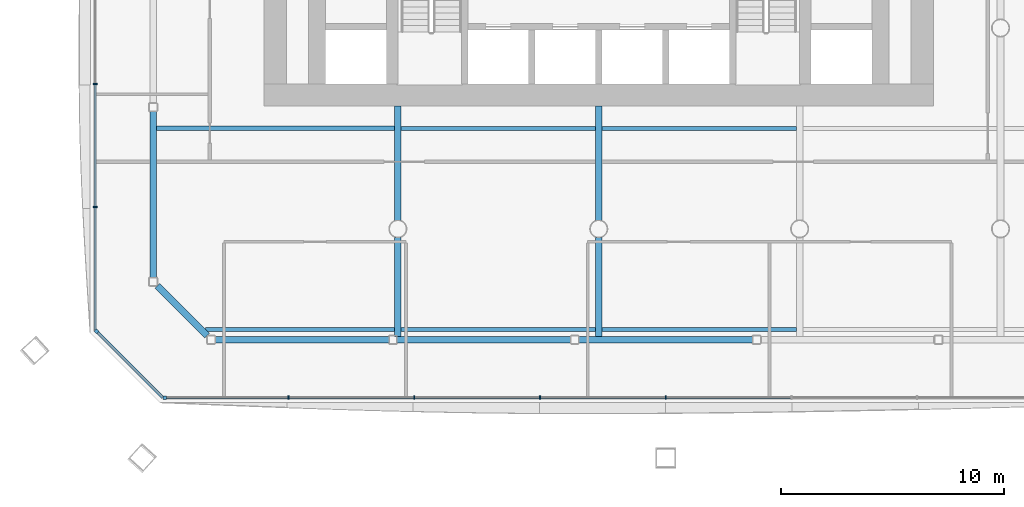
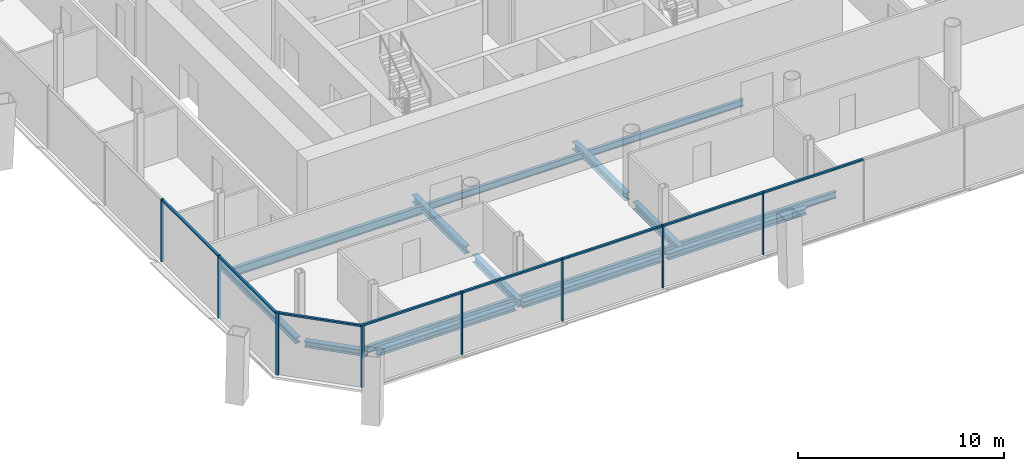
# One storey, part 4 of 20: 16 members, 15 beams, 3 elements without a shape of their own.
"""IFC4 building model written with IfcOpenShell, lengths in metres."""

from ifc_helpers import new_model, si_unit, direction, frame, origin, origin_2d, place, context, subcontext, project, spatial, rectangle, i_section, extrude, material, material_profile, profile_set, type_object, element, aggregate, save


model = new_model("IFC4")

# Units and contexts
model_context = context("Model", 3, precision=1e-05, world=origin(), true_north=direction((0.0, 1.0)))
body_context = subcontext(model_context, "Body", "Model", "MODEL_VIEW")
ifc_project = project(units=[si_unit("LENGTHUNIT", "METRE"), si_unit("AREAUNIT", "SQUARE_METRE"), si_unit("VOLUMEUNIT", "CUBIC_METRE"), si_unit("PLANEANGLEUNIT", "RADIAN"), si_unit("MASSUNIT", "GRAM", prefix="KILO")], contexts=[model_context])

# Site, building, storey
site_placement = place(None, origin())
site = spatial("IfcSite", under=ifc_project, at=site_placement, CompositionType="ELEMENT")
building_placement = place(site_placement, origin())
building = spatial("IfcBuilding", under=site, at=building_placement, Name="Tskaro Facet Tower", CompositionType="ELEMENT")
storey_placement = place(building_placement, frame((0.0, 0.0, 69.89990234375)))
storey = spatial("IfcBuildingStorey", under=building, at=storey_placement, Name="L16", CompositionType="ELEMENT", Elevation=69.89990234375)

# Curtain wall, member
ifc_material_1 = material(Name="Bronze anodised aluminium 6063-T6", Category="aluminium")
curtain_wall_type = type_object("IfcCurtainWallType", Name="Bronze office curtain wall (FW1)", PredefinedType="NOTDEFINED", material=ifc_material_1)
curtain_wall_1_placement = place(storey_placement, origin())
curtain_wall_1 = element("IfcCurtainWall", 1, at=curtain_wall_1_placement, inside=storey, type_object=curtain_wall_type, Name="FW1 south facet L16", PredefinedType="NOTDEFINED")
ifc_material_profile_1 = material_profile(ifc_material_1, rectangle(XDim=0.159912109375, YDim=0.159912109375, at=origin_2d()), Name="Corner post 160x160")
ifc_profile_set_1 = profile_set([ifc_material_profile_1], Name="Bronze anodised aluminium 6063-T6")
member_type_1 = type_object("IfcMemberType", Name="FW1 bronze corner post 160x160", PredefinedType="MULLION", material=ifc_profile_set_1)
member_1_placement = place(storey_placement, frame((-19.450927734375, -25.55908203125, 0.0), z_axis=(0.0, 0.0, 1.0), x_axis=(1.0, 0.0, 0.0)))
member_1 = element("IfcMember", 2, at=member_1_placement, type_object=member_type_1, Name="FW1 south corner post", PredefinedType="MULLION", context=body_context, shape_type="SweptSolid", body=[
    extrude(rectangle(XDim=0.159912109375, YDim=0.159912109375, at=origin_2d()), origin(), (0.0, 0.0, 1.0), 3.7001953125),
])

curtain_wall_2_placement = place(storey_placement, origin())
curtain_wall_2 = element("IfcCurtainWall", 3, at=curtain_wall_2_placement, inside=storey, type_object=curtain_wall_type, Name="FW1 south-west facet L16", PredefinedType="NOTDEFINED")
member_2_placement = place(storey_placement, frame((-22.50244140625, -22.587646484375, 0.0), z_axis=(0.0, 0.0, 1.0), x_axis=(0.707106781187, -0.707106781187, 0.0)))
member_2 = element("IfcMember", 4, at=member_2_placement, type_object=member_type_1, Name="FW1 south-west corner post", PredefinedType="MULLION", context=body_context, shape_type="SweptSolid", body=[
    extrude(rectangle(XDim=0.159912109375, YDim=0.159912109375, at=origin_2d()), origin(), (0.0, 0.0, 1.0), 3.7001953125),
])

# Member
ifc_material_profile_2 = material_profile(ifc_material_1, rectangle(XDim=0.06005859375, YDim=0.159912109375, at=origin_2d()), Name="Mullion 60x160")
ifc_profile_set_2 = profile_set([ifc_material_profile_2], Name="Bronze anodised aluminium 6063-T6")
member_type_2 = type_object("IfcMemberType", Name="FW1 bronze mullion 60x160", PredefinedType="MULLION", material=ifc_profile_set_2)
member_3_placement = place(storey_placement, frame((-13.898193359375, -25.55908203125, 0.0), z_axis=(0.0, 0.0, 1.0), x_axis=(1.0, 0.0, 0.0)))
member_3 = element("IfcMember", 5, at=member_3_placement, type_object=member_type_2, Name="FW1 south mullion 1", PredefinedType="MULLION", context=body_context, shape_type="SweptSolid", body=[
    extrude(rectangle(XDim=0.06005859375, YDim=0.159912109375, at=origin_2d()), origin(), (0.0, 0.0, 1.0), 3.7001953125),
])

member_4_placement = place(storey_placement, frame((-8.265380859375, -25.55908203125, 0.0), z_axis=(0.0, 0.0, 1.0), x_axis=(1.0, 0.0, 0.0)))
member_4 = element("IfcMember", 6, at=member_4_placement, type_object=member_type_2, Name="FW1 south mullion 2", PredefinedType="MULLION", context=body_context, shape_type="SweptSolid", body=[
    extrude(rectangle(XDim=0.06005859375, YDim=0.159912109375, at=origin_2d()), origin(), (0.0, 0.0, 1.0), 3.7001953125),
])

member_5_placement = place(storey_placement, frame((-2.6328125, -25.55908203125, 0.0), z_axis=(0.0, 0.0, 1.0), x_axis=(1.0, 0.0, 0.0)))
member_5 = element("IfcMember", 7, at=member_5_placement, type_object=member_type_2, Name="FW1 south mullion 3", PredefinedType="MULLION", context=body_context, shape_type="SweptSolid", body=[
    extrude(rectangle(XDim=0.06005859375, YDim=0.159912109375, at=origin_2d()), origin(), (0.0, 0.0, 1.0), 3.7001953125),
])

member_6_placement = place(storey_placement, frame((3.0, -25.55908203125, 0.0), z_axis=(0.0, 0.0, 1.0), x_axis=(1.0, 0.0, 0.0)))
member_6 = element("IfcMember", 8, at=member_6_placement, type_object=member_type_2, Name="FW1 south mullion 4", PredefinedType="MULLION", context=body_context, shape_type="SweptSolid", body=[
    extrude(rectangle(XDim=0.06005859375, YDim=0.159912109375, at=origin_2d()), origin(), (0.0, 0.0, 1.0), 3.7001953125),
])

# Curtain wall, members
curtain_wall_3_placement = place(storey_placement, origin())
curtain_wall_3 = element("IfcCurtainWall", 9, at=curtain_wall_3_placement, inside=storey, type_object=curtain_wall_type, Name="FW1 west facet L16", PredefinedType="NOTDEFINED")
member_7_placement = place(storey_placement, frame((-22.55908203125, -11.504638671875, 0.0), z_axis=(0.0, 0.0, 1.0), x_axis=(0.0, -1.0, 0.0)))
member_7 = element("IfcMember", 10, at=member_7_placement, type_object=member_type_2, Name="FW1 west mullion 6", PredefinedType="MULLION", context=body_context, shape_type="SweptSolid", body=[
    extrude(rectangle(XDim=0.06005859375, YDim=0.159912109375, at=origin_2d()), origin(), (0.0, 0.0, 1.0), 3.7001953125),
])
member_8_placement = place(storey_placement, frame((-22.55908203125, -17.017822265625, 0.0), z_axis=(0.0, 0.0, 1.0), x_axis=(0.0, -1.0, 0.0)))
member_8 = element("IfcMember", 11, at=member_8_placement, type_object=member_type_2, Name="FW1 west mullion 7", PredefinedType="MULLION", context=body_context, shape_type="SweptSolid", body=[
    extrude(rectangle(XDim=0.06005859375, YDim=0.159912109375, at=origin_2d()), origin(), (0.0, 0.0, 1.0), 3.7001953125),
])

# Member
ifc_material_profile_3 = material_profile(ifc_material_1, rectangle(XDim=0.1201171875, YDim=0.10009765625, at=origin_2d()), Name="Transom 120x100")
ifc_profile_set_3 = profile_set([ifc_material_profile_3], Name="Bronze anodised aluminium 6063-T6")
member_type_3 = type_object("IfcMemberType", Name="FW1 bronze transom 120x100", PredefinedType="USERDEFINED", material=ifc_profile_set_3)
member_9_placement = place(storey_placement, frame((-19.37109375, -25.55908203125, 3.650146484375), z_axis=(1.0, 0.0, 0.0), x_axis=(0.0, 1.0, 0.0)))
member_9 = element("IfcMember", 12, at=member_9_placement, type_object=member_type_3, Name="FW1 south transom 1.1", ObjectType="TRANSOM", PredefinedType="USERDEFINED", context=body_context, shape_type="SweptSolid", body=[
    extrude(rectangle(XDim=0.1201171875, YDim=0.10009765625, at=origin_2d()), origin(), (0.0, 0.0, 1.0), 5.44287109375),
])

member_10_placement = place(storey_placement, frame((-13.8681640625, -25.55908203125, 3.650146484375), z_axis=(1.0, 0.0, 0.0), x_axis=(0.0, 1.0, 0.0)))
member_10 = element("IfcMember", 13, at=member_10_placement, type_object=member_type_3, Name="FW1 south transom 2.1", ObjectType="TRANSOM", PredefinedType="USERDEFINED", context=body_context, shape_type="SweptSolid", body=[
    extrude(rectangle(XDim=0.1201171875, YDim=0.10009765625, at=origin_2d()), origin(), (0.0, 0.0, 1.0), 5.57275390625),
])

member_11_placement = place(storey_placement, frame((-8.235595703125, -25.55908203125, 3.650146484375), z_axis=(1.0, 0.0, 0.0), x_axis=(0.0, 1.0, 0.0)))
member_11 = element("IfcMember", 14, at=member_11_placement, type_object=member_type_3, Name="FW1 south transom 3.1", ObjectType="TRANSOM", PredefinedType="USERDEFINED", context=body_context, shape_type="SweptSolid", body=[
    extrude(rectangle(XDim=0.1201171875, YDim=0.10009765625, at=origin_2d()), origin(), (0.0, 0.0, 1.0), 5.57275390625),
])

member_12_placement = place(storey_placement, frame((-2.602783203125, -25.55908203125, 3.650146484375), z_axis=(1.0, 0.0, 0.0), x_axis=(0.0, 1.0, 0.0)))
member_12 = element("IfcMember", 15, at=member_12_placement, type_object=member_type_3, Name="FW1 south transom 4.1", ObjectType="TRANSOM", PredefinedType="USERDEFINED", context=body_context, shape_type="SweptSolid", body=[
    extrude(rectangle(XDim=0.1201171875, YDim=0.10009765625, at=origin_2d()), origin(), (0.0, 0.0, 1.0), 5.57275390625),
])

member_13_placement = place(storey_placement, frame((3.030029296875, -25.55908203125, 3.650146484375), z_axis=(1.0, 0.0, 0.0), x_axis=(0.0, 1.0, 0.0)))
member_13 = element("IfcMember", 16, at=member_13_placement, type_object=member_type_3, Name="FW1 south transom 5.1", ObjectType="TRANSOM", PredefinedType="USERDEFINED", context=body_context, shape_type="SweptSolid", body=[
    extrude(rectangle(XDim=0.1201171875, YDim=0.10009765625, at=origin_2d()), origin(), (0.0, 0.0, 1.0), 5.57275390625),
])

aggregate(curtain_wall_1, [member_1, member_3, member_4, member_5, member_6, member_9, member_10, member_11, member_12, member_13])

member_14_placement = place(storey_placement, frame((-22.55908203125, -11.53466796875, 3.650146484375), z_axis=(0.0, -1.0, 0.0), x_axis=(1.0, 0.0, 0.0)))
member_14 = element("IfcMember", 17, at=member_14_placement, type_object=member_type_3, Name="FW1 west transom 7.1", ObjectType="TRANSOM", PredefinedType="USERDEFINED", context=body_context, shape_type="SweptSolid", body=[
    extrude(rectangle(XDim=0.1201171875, YDim=0.10009765625, at=origin_2d()), origin(), (0.0, 0.0, 1.0), 5.453125),
])

member_15_placement = place(storey_placement, frame((-22.55908203125, -17.0478515625, 3.650146484375), z_axis=(0.0, -1.0, 0.0), x_axis=(1.0, 0.0, 0.0)))
member_15 = element("IfcMember", 18, at=member_15_placement, type_object=member_type_3, Name="FW1 west transom 8.1", ObjectType="TRANSOM", PredefinedType="USERDEFINED", context=body_context, shape_type="SweptSolid", body=[
    extrude(rectangle(XDim=0.1201171875, YDim=0.10009765625, at=origin_2d()), origin(), (0.0, 0.0, 1.0), 5.483154296875),
])

aggregate(curtain_wall_3, [member_7, member_8, member_14, member_15])

member_16_placement = place(storey_placement, frame((-22.44580078125, -22.64404296875, 3.650146484375), z_axis=(0.70707716849, -0.707136392643, 0.0), x_axis=(0.707136392643, 0.70707716849, 0.0)))
member_16 = element("IfcMember", 19, at=member_16_placement, type_object=member_type_3, Name="FW1 south-west transom 1.1", ObjectType="TRANSOM", PredefinedType="USERDEFINED", context=body_context, shape_type="SweptSolid", body=[
    extrude(rectangle(XDim=0.1201171875, YDim=0.10009765625, at=origin_2d()), origin(), (0.0, 0.0, 1.0), 4.122314453125),
])

aggregate(curtain_wall_2, [member_2, member_16])

# Beams
ifc_material_2 = material(Name="Steel S355J2", Category="steel")
ifc_material_profile_4 = material_profile(ifc_material_2, i_section(OverallWidth=0.300048828125, OverallDepth=0.360107421875, WebThickness=0.012451171875, FlangeThickness=0.0224609375, FilletRadius=0.027099609375, at=origin_2d()), Name="HE 360 B")
ifc_profile_set_4 = profile_set([ifc_material_profile_4], Name="Steel S355J2")
beam_type_1 = type_object("IfcBeamType", Name="HE 360 B ring beam", PredefinedType="BEAM", material=ifc_profile_set_4)
beam_1_placement = place(storey_placement, frame((-17.18408203125, -22.965087890625, -0.31982421875), z_axis=(1.0, 0.0, 0.0), x_axis=(0.0, 1.0, 0.0)))
element("IfcBeam", 20, at=beam_1_placement, inside=storey, type_object=beam_type_1, Name="HE 360 B EB1-2", PredefinedType="BEAM", context=body_context, shape_type="SweptSolid", body=[
    extrude(i_section(OverallWidth=0.300048828125, OverallDepth=0.360107421875, WebThickness=0.012451171875, FlangeThickness=0.0224609375, FilletRadius=0.027099609375, at=origin_2d()), origin(), (0.0, 0.0, 1.0), 7.7861328125),
])
beam_2_placement = place(storey_placement, frame((-9.0380859375, -22.965087890625, -0.31982421875), z_axis=(1.0, 0.0, 0.0), x_axis=(0.0, 1.0, 0.0)))
element("IfcBeam", 21, at=beam_2_placement, inside=storey, type_object=beam_type_1, Name="HE 360 B EB2-2", PredefinedType="BEAM", context=body_context, shape_type="SweptSolid", body=[
    extrude(i_section(OverallWidth=0.300048828125, OverallDepth=0.360107421875, WebThickness=0.012451171875, FlangeThickness=0.0224609375, FilletRadius=0.027099609375, at=origin_2d()), origin(), (0.0, 0.0, 1.0), 7.78515625),
])
beam_3_placement = place(storey_placement, frame((-0.89306640625, -22.965087890625, -0.31982421875), z_axis=(1.0, 0.0, 0.0), x_axis=(0.0, 1.0, 0.0)))
element("IfcBeam", 22, at=beam_3_placement, inside=storey, type_object=beam_type_1, Name="HE 360 B EB3-2", PredefinedType="BEAM", context=body_context, shape_type="SweptSolid", body=[
    extrude(i_section(OverallWidth=0.300048828125, OverallDepth=0.360107421875, WebThickness=0.012451171875, FlangeThickness=0.0224609375, FilletRadius=0.027099609375, at=origin_2d()), origin(), (0.0, 0.0, 1.0), 7.7861328125),
])
beam_4_placement = place(storey_placement, frame((-19.965087890625, -12.73291015625, -0.31982421875), z_axis=(0.0, -1.0, 0.0), x_axis=(1.0, 0.0, 0.0)))
element("IfcBeam", 23, at=beam_4_placement, inside=storey, type_object=beam_type_1, Name="HE 360 B EB23-2", PredefinedType="BEAM", context=body_context, shape_type="SweptSolid", body=[
    extrude(i_section(OverallWidth=0.300048828125, OverallDepth=0.360107421875, WebThickness=0.012451171875, FlangeThickness=0.0224609375, FilletRadius=0.027099609375, at=origin_2d()), origin(), (0.0, 0.0, 1.0), 7.451171875),
])
beam_5_placement = place(storey_placement, frame((-19.779052734375, -20.5498046875, -0.31982421875), z_axis=(0.707106781187, -0.707106781187, 0.0), x_axis=(0.707106781187, 0.707106781187, 0.0)))
element("IfcBeam", 24, at=beam_5_placement, inside=storey, type_object=beam_type_1, Name="HE 360 B EB24-2", PredefinedType="BEAM", context=body_context, shape_type="SweptSolid", body=[
    extrude(i_section(OverallWidth=0.300048828125, OverallDepth=0.360107421875, WebThickness=0.012451171875, FlangeThickness=0.0224609375, FilletRadius=0.027099609375, at=origin_2d()), origin(), (0.0, 0.0, 1.0), 3.152587890625),
])
ifc_material_profile_5 = material_profile(ifc_material_2, i_section(OverallWidth=0.300048828125, OverallDepth=0.43994140625, WebThickness=0.011474609375, FlangeThickness=0.02099609375, FilletRadius=0.027099609375, at=origin_2d()), Name="HE 450 A")
ifc_profile_set_5 = profile_set([ifc_material_profile_5], Name="Steel S355J2")
beam_type_2 = type_object("IfcBeamType", Name="HE 450 A girder", PredefinedType="BEAM", material=ifc_profile_set_5)
beam_6_placement = place(storey_placement, frame((-9.0, -22.81494140625, -0.35986328125), z_axis=(0.0, 1.0, 0.0), x_axis=(-1.0, 0.0, 0.0)))
element("IfcBeam", 25, at=beam_6_placement, inside=storey, type_object=beam_type_2, Name="HE 450 A GB3-1-2", PredefinedType="BEAM", context=body_context, shape_type="SweptSolid", body=[
    extrude(i_section(OverallWidth=0.300048828125, OverallDepth=0.43994140625, WebThickness=0.011474609375, FlangeThickness=0.02099609375, FilletRadius=0.027099609375, at=origin_2d()), origin(), (0.0, 0.0, 1.0), 4.4384765625),
])
beam_7_placement = place(storey_placement, frame((-9.0, -17.62353515625, -0.35986328125), z_axis=(0.0, 1.0, 0.0), x_axis=(-1.0, 0.0, 0.0)))
element("IfcBeam", 26, at=beam_7_placement, inside=storey, type_object=beam_type_2, Name="HE 450 A GB3-2-2", PredefinedType="BEAM", context=body_context, shape_type="SweptSolid", body=[
    extrude(i_section(OverallWidth=0.300048828125, OverallDepth=0.43994140625, WebThickness=0.011474609375, FlangeThickness=0.02099609375, FilletRadius=0.027099609375, at=origin_2d()), origin(), (0.0, 0.0, 1.0), 5.12353515625),
])
beam_8_placement = place(storey_placement, frame((0.0, -22.81494140625, -0.35986328125), z_axis=(0.0, 1.0, 0.0), x_axis=(-1.0, 0.0, 0.0)))
element("IfcBeam", 27, at=beam_8_placement, inside=storey, type_object=beam_type_2, Name="HE 450 A GB4-1-2", PredefinedType="BEAM", context=body_context, shape_type="SweptSolid", body=[
    extrude(i_section(OverallWidth=0.300048828125, OverallDepth=0.43994140625, WebThickness=0.011474609375, FlangeThickness=0.02099609375, FilletRadius=0.027099609375, at=origin_2d()), origin(), (0.0, 0.0, 1.0), 4.4384765625),
])
beam_9_placement = place(storey_placement, frame((0.0, -17.62353515625, -0.35986328125), z_axis=(0.0, 1.0, 0.0), x_axis=(-1.0, 0.0, 0.0)))
element("IfcBeam", 28, at=beam_9_placement, inside=storey, type_object=beam_type_2, Name="HE 450 A GB4-2-2", PredefinedType="BEAM", context=body_context, shape_type="SweptSolid", body=[
    extrude(i_section(OverallWidth=0.300048828125, OverallDepth=0.43994140625, WebThickness=0.011474609375, FlangeThickness=0.02099609375, FilletRadius=0.027099609375, at=origin_2d()), origin(), (0.0, 0.0, 1.0), 5.12353515625),
])
ifc_material_profile_6 = material_profile(ifc_material_2, i_section(OverallWidth=0.179931640625, OverallDepth=0.39990234375, WebThickness=0.008544921875, FlangeThickness=0.013427734375, FilletRadius=0.02099609375, at=origin_2d()), Name="IPE 400")
ifc_profile_set_6 = profile_set([ifc_material_profile_6], Name="Steel S355J2")
beam_type_3 = type_object("IfcBeamType", Name="IPE 400 secondary beam", PredefinedType="BEAM", material=ifc_profile_set_6)
beam_10_placement = place(storey_placement, frame((-17.616943359375, -22.5, -0.33984375), z_axis=(1.0, 0.0, 0.0), x_axis=(0.0, 1.0, 0.0)))
element("IfcBeam", 29, at=beam_10_placement, inside=storey, type_object=beam_type_3, Name="IPE 400 SB1a-1-2", PredefinedType="BEAM", context=body_context, shape_type="SweptSolid", body=[
    extrude(i_section(OverallWidth=0.179931640625, OverallDepth=0.39990234375, WebThickness=0.008544921875, FlangeThickness=0.013427734375, FilletRadius=0.02099609375, at=origin_2d()), origin(), (0.0, 0.0, 1.0), 8.467041015625),
])
for number, where, z_axis, x_axis, name in (
    (30, (-8.85009765625, -22.5, -0.33984375), (1.0, 0.0, 0.0), (0.0, 1.0, 0.0), "IPE 400 SB1a-2-2"),
    (31, (0.14990234375, -22.5, -0.33984375), (1.0, 0.0, 0.0), (0.0, 1.0, 0.0), "IPE 400 SB1a-3-2"),
    (32, (-8.85009765625, -13.5, -0.33984375), (1.0, 0.0, 0.0), (0.0, 1.0, 0.0), "IPE 400 SB2a-2-2"),
    (33, (0.14990234375, -13.5, -0.33984375), (1.0, 0.0, 0.0), (0.0, 1.0, 0.0), "IPE 400 SB2a-3-2"),
):
    element("IfcBeam", number, at=place(storey_placement, frame(where, z_axis=z_axis, x_axis=x_axis)), inside=storey, type_object=beam_type_3, Name=name, PredefinedType="BEAM", context=body_context, shape_type="SweptSolid", body=[
        extrude(i_section(OverallWidth=0.179931640625, OverallDepth=0.39990234375, WebThickness=0.008544921875, FlangeThickness=0.013427734375, FilletRadius=0.02099609375, at=origin_2d()), origin(), (0.0, 0.0, 1.0), 8.7001953125),
    ])
ifc_material_profile_7 = material_profile(ifc_material_2, i_section(OverallWidth=0.199951171875, OverallDepth=0.5, WebThickness=0.01025390625, FlangeThickness=0.01611328125, FilletRadius=0.02099609375, at=origin_2d()), Name="IPE 500")
ifc_profile_set_7 = profile_set([ifc_material_profile_7], Name="Steel S355J2")
beam_type_4 = type_object("IfcBeamType", Name="IPE 500 long secondary beam", PredefinedType="BEAM", material=ifc_profile_set_7)
beam_11_placement = place(storey_placement, frame((-19.81494140625, -13.5, -0.389892578125), z_axis=(1.0, 0.0, 0.0), x_axis=(0.0, 1.0, 0.0)))
element("IfcBeam", 34, at=beam_11_placement, inside=storey, type_object=beam_type_4, Name="IPE 500 LSB2a-1-2", PredefinedType="BEAM", context=body_context, shape_type="SweptSolid", body=[
    extrude(i_section(OverallWidth=0.199951171875, OverallDepth=0.5, WebThickness=0.01025390625, FlangeThickness=0.01611328125, FilletRadius=0.02099609375, at=origin_2d()), origin(), (0.0, 0.0, 1.0), 10.6650390625),
])

save(model, "model.ifc")
